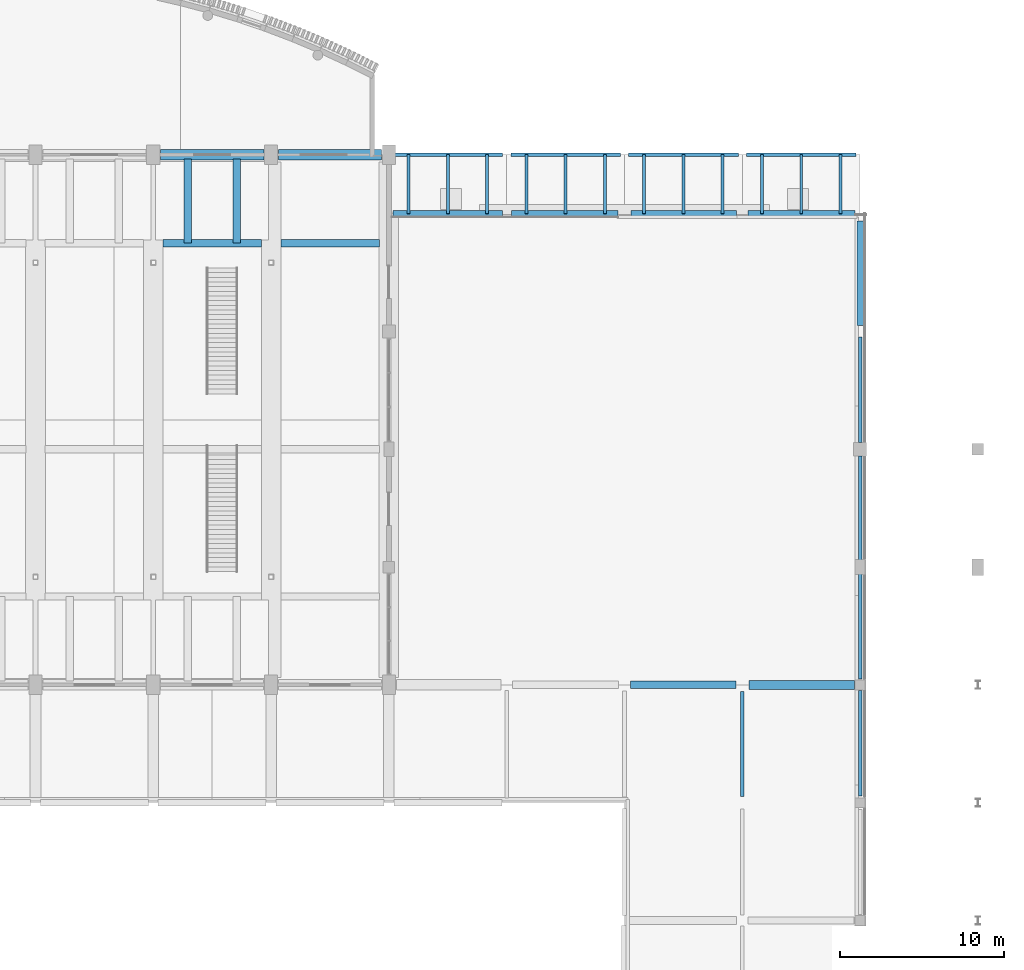
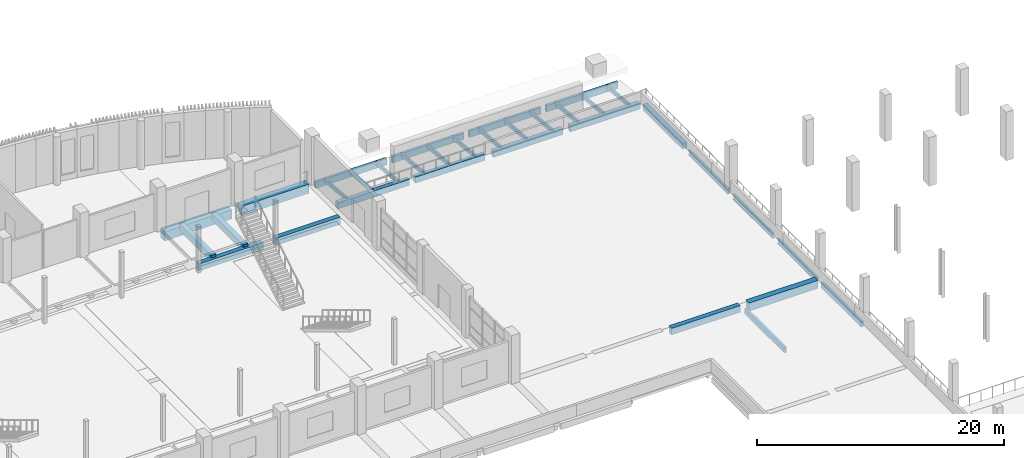
# One storey, part 38 of 82: 22 beams, 12 members.
"""IFC4 building model written with IfcOpenShell, lengths in metres."""

from ifc_helpers import new_model, si_unit, direction, frame, origin, origin_2d, place, context, subcontext, project, spatial, rectangle, i_section, extrude, material, material_profile, profile_set, type_object, element, save


model = new_model("IFC4")

# Units and contexts
model_context = context("Model", 3, precision=1e-05, world=origin(), true_north=direction((0.0, 1.0)))
body_context = subcontext(model_context, "Body", "Model", "MODEL_VIEW")
ifc_project = project(units=[si_unit("LENGTHUNIT", "METRE"), si_unit("AREAUNIT", "SQUARE_METRE"), si_unit("VOLUMEUNIT", "CUBIC_METRE"), si_unit("PLANEANGLEUNIT", "RADIAN"), si_unit("MASSUNIT", "GRAM", prefix="KILO")], contexts=[model_context])

# Site, building, storey
site_placement = place(None, origin())
site = spatial("IfcSite", under=ifc_project, at=site_placement, CompositionType="ELEMENT")
building_placement = place(site_placement, origin())
building = spatial("IfcBuilding", under=site, at=building_placement, Name="Sardonyx Promenade Sports Hall", CompositionType="ELEMENT")
storey_placement = place(building_placement, frame((0.0, 0.0, 11.199951171875)))
storey = spatial("IfcBuildingStorey", under=building, at=storey_placement, Name="L02", CompositionType="ELEMENT", Elevation=11.199951171875)

# Beams
ifc_material_1 = material(Name="Glulam GL28h", Category="wood")
ifc_material_profile_1 = material_profile(ifc_material_1, rectangle(XDim=0.239990234375, YDim=0.639892578125, at=origin_2d()))
ifc_profile_set_1 = profile_set([ifc_material_profile_1], Name="Glulam GL28h")
beam_type_1 = type_object("IfcBeamType", Name="Bm_Canopy_GL640", PredefinedType="BEAM", material=ifc_profile_set_1)
beam_1_placement = place(storey_placement, frame((79.449951171875, 104.39990234375, -0.5), z_axis=(1.0, 0.0, 0.0), x_axis=(0.0, 1.0, 0.0)))
element("IfcBeam", 1, at=beam_1_placement, inside=storey, type_object=beam_type_1, Name="Pishtaq canopy front glulam beam #1", PredefinedType="BEAM", context=body_context, shape_type="SweptSolid", body=[
    extrude(rectangle(XDim=0.239990234375, YDim=0.639892578125, at=origin_2d()), origin(), (0.0, 0.0, 1.0), 6.699951171875),
])
beam_2_placement = place(storey_placement, frame((86.64990234375, 104.39990234375, -0.5), z_axis=(1.0, 0.0, 0.0), x_axis=(0.0, 1.0, 0.0)))
element("IfcBeam", 2, at=beam_2_placement, inside=storey, type_object=beam_type_1, Name="Pishtaq canopy front glulam beam #2", PredefinedType="BEAM", context=body_context, shape_type="SweptSolid", body=[
    extrude(rectangle(XDim=0.239990234375, YDim=0.639892578125, at=origin_2d()), origin(), (0.0, 0.0, 1.0), 6.7001953125),
])
for number, where, z_axis, x_axis, name in (
    (3, (93.85009765625, 104.39990234375, -0.5), (1.0, 0.0, 0.0), (0.0, 1.0, 0.0), "Pishtaq canopy front glulam beam #3"),
    (4, (101.050048828125, 104.39990234375, -0.5), (1.0, 0.0, 0.0), (0.0, 1.0, 0.0), "Pishtaq canopy front glulam beam #4"),
):
    element("IfcBeam", number, at=place(storey_placement, frame(where, z_axis=z_axis, x_axis=x_axis)), inside=storey, type_object=beam_type_1, Name=name, PredefinedType="BEAM", context=body_context, shape_type="SweptSolid", body=[
        extrude(rectangle(XDim=0.239990234375, YDim=0.639892578125, at=origin_2d()), origin(), (0.0, 0.0, 1.0), 6.699951171875),
    ])
ifc_material_2 = material(Name="Glulam GL28h", Category="wood")
ifc_material_profile_2 = material_profile(ifc_material_2, rectangle(XDim=0.219970703125, YDim=0.5400390625, at=origin_2d()))
ifc_profile_set_2 = profile_set([ifc_material_profile_2], Name="Glulam GL28h")
beam_type_2 = type_object("IfcBeamType", Name="Bm_Gallery_GL540", PredefinedType="BEAM", material=ifc_profile_set_2)
beam_3_placement = place(storey_placement, frame((100.800048828125, 65.175048828125, -0.510009765625), z_axis=(0.0, 1.0, 0.0), x_axis=(-1.0, 0.0, 0.0)))
element("IfcBeam", 5, at=beam_3_placement, inside=storey, type_object=beam_type_2, Name="Beam GLB2 L02 #645", PredefinedType="BEAM", context=body_context, shape_type="SweptSolid", body=[
    extrude(rectangle(XDim=0.219970703125, YDim=0.5400390625, at=origin_2d()), origin(), (0.0, 0.0, 1.0), 6.425048828125),
])
beam_4_placement = place(storey_placement, frame((108.0, 65.199951171875, -0.510009765625), z_axis=(0.0, 1.0, 0.0), x_axis=(-1.0, 0.0, 0.0)))
element("IfcBeam", 6, at=beam_4_placement, inside=storey, type_object=beam_type_2, Name="Beam GLB2 L02 #655", PredefinedType="BEAM", context=body_context, shape_type="SweptSolid", body=[
    extrude(rectangle(XDim=0.219970703125, YDim=0.5400390625, at=origin_2d()), origin(), (0.0, 0.0, 1.0), 6.449951171875),
])
ifc_material_3 = material(Name="Concrete C40/50", Category="concrete")
ifc_material_profile_3 = material_profile(ifc_material_3, rectangle(XDim=0.550048828125, YDim=0.800048828125, at=origin_2d()))
ifc_profile_set_3 = profile_set([ifc_material_profile_3], Name="Concrete C40/50")
beam_type_3 = type_object("IfcBeamType", Name="Bm_Girder_RC800", PredefinedType="BEAM", material=ifc_profile_set_3)
beam_5_placement = place(storey_placement, frame((101.199951171875, 72.0, -0.39990234375), z_axis=(1.0, 0.0, 0.0), x_axis=(0.0, 1.0, 0.0)))
element("IfcBeam", 7, at=beam_5_placement, inside=storey, type_object=beam_type_3, Name="Beam BG04 L02 #561", PredefinedType="BEAM", context=body_context, shape_type="SweptSolid", body=[
    extrude(rectangle(XDim=0.550048828125, YDim=0.800048828125, at=origin_2d()), origin(), (0.0, 0.0, 1.0), 6.449951171875),
])
ifc_material_4 = material(Name="Concrete C50/60", Category="concrete")
ifc_material_profile_4 = material_profile(ifc_material_4, rectangle(XDim=0.64990234375, YDim=0.89990234375, at=origin_2d()))
ifc_profile_set_4 = profile_set([ifc_material_profile_4], Name="Concrete C50/60")
beam_type_4 = type_object("IfcBeamType", Name="Bm_Girder_RC900", PredefinedType="BEAM", material=ifc_profile_set_4)
for number, where, z_axis, x_axis, name in (
    (8, (65.2451171875, 104.39990234375, -0.449951171875), (1.0, 0.0, 0.0), (0.0, 1.0, 0.0), "North stand pier girder L02 #45"),
    (9, (72.445068359375, 104.39990234375, -0.449951171875), (1.0, 0.0, 0.0), (0.0, 1.0, 0.0), "North stand pier girder L02 #46"),
):
    element("IfcBeam", number, at=place(storey_placement, frame(where, z_axis=z_axis, x_axis=x_axis)), inside=storey, type_object=beam_type_4, Name=name, PredefinedType="BEAM", context=body_context, shape_type="SweptSolid", body=[
        extrude(rectangle(XDim=0.64990234375, YDim=0.89990234375, at=origin_2d()), origin(), (0.0, 0.0, 1.0), 6.309814453125),
    ])
ifc_material_5 = material(Name="Steel S355JR", Category="steel")
ifc_material_profile_5 = material_profile(ifc_material_5, i_section(OverallWidth=0.199951171875, OverallDepth=0.5, WebThickness=0.01025390625, FlangeThickness=0.01611328125, at=origin_2d()))
ifc_profile_set_5 = profile_set([ifc_material_profile_5], Name="Steel S355JR")
beam_type_5 = type_object("IfcBeamType", Name="Bm_Primary_IPE500", PredefinedType="BEAM", material=ifc_profile_set_5)
beam_6_placement = place(storey_placement, frame((108.0, 72.35009765625, -0.489990234375), z_axis=(0.0, 1.0, 0.0), x_axis=(-1.0, 0.0, 0.0)))
element("IfcBeam", 10, at=beam_6_placement, inside=storey, type_object=beam_type_5, Name="Beam SB06 L02 #656", PredefinedType="BEAM", context=body_context, shape_type="SweptSolid", body=[
    extrude(i_section(OverallWidth=0.199951171875, OverallDepth=0.5, WebThickness=0.01025390625, FlangeThickness=0.01611328125, at=origin_2d()), origin(), (0.0, 0.0, 1.0), 6.474853515625),
])
beam_7_placement = place(storey_placement, frame((108.0, 79.574951171875, -0.489990234375), z_axis=(0.0, 1.0, 0.0), x_axis=(-1.0, 0.0, 0.0)))
element("IfcBeam", 11, at=beam_7_placement, inside=storey, type_object=beam_type_5, Name="Beam SB06 L02 #657", PredefinedType="BEAM", context=body_context, shape_type="SweptSolid", body=[
    extrude(i_section(OverallWidth=0.199951171875, OverallDepth=0.5, WebThickness=0.01025390625, FlangeThickness=0.01611328125, at=origin_2d()), origin(), (0.0, 0.0, 1.0), 6.425048828125),
])
beam_8_placement = place(storey_placement, frame((108.0, 86.800048828125, -0.489990234375), z_axis=(0.0, 1.0, 0.0), x_axis=(-1.0, 0.0, 0.0)))
element("IfcBeam", 12, at=beam_8_placement, inside=storey, type_object=beam_type_5, Name="Beam SB06 L02 #658", PredefinedType="BEAM", context=body_context, shape_type="SweptSolid", body=[
    extrude(i_section(OverallWidth=0.199951171875, OverallDepth=0.5, WebThickness=0.01025390625, FlangeThickness=0.01611328125, at=origin_2d()), origin(), (0.0, 0.0, 1.0), 6.449951171875),
])
ifc_material_6 = material(Name="Concrete C40/50", Category="concrete")
ifc_material_profile_6 = material_profile(ifc_material_6, rectangle(XDim=0.449951171875, YDim=0.64990234375, at=origin_2d()))
ifc_profile_set_6 = profile_set([ifc_material_profile_6], Name="Concrete C40/50")
beam_type_6 = type_object("IfcBeamType", Name="Bm_Primary_RC650", PredefinedType="BEAM", material=ifc_profile_set_6)
beam_9_placement = place(storey_placement, frame((93.97509765625, 72.0, -0.324951171875), z_axis=(1.0, 0.0, 0.0), x_axis=(0.0, 1.0, 0.0)))
element("IfcBeam", 13, at=beam_9_placement, inside=storey, type_object=beam_type_6, Name="Beam BG05 L02 #560", PredefinedType="BEAM", context=body_context, shape_type="SweptSolid", body=[
    extrude(rectangle(XDim=0.449951171875, YDim=0.64990234375, at=origin_2d()), origin(), (0.0, 0.0, 1.0), 6.4248046875),
])
ifc_material_7 = material(Name="Concrete C40/50", Category="concrete")
ifc_material_profile_7 = material_profile(ifc_material_7, rectangle(XDim=0.449951171875, YDim=0.699951171875, at=origin_2d()))
ifc_profile_set_7 = profile_set([ifc_material_profile_7], Name="Concrete C40/50")
beam_type_7 = type_object("IfcBeamType", Name="Bm_Primary_RC700", PredefinedType="BEAM", material=ifc_profile_set_7)
for number, where, z_axis, x_axis, name in (
    (14, (65.389892578125, 99.0, -0.349853515625), (1.0, 0.0, 0.0), (0.0, 1.0, 0.0), "Arena transverse beam #24"),
    (15, (72.590087890625, 99.0, -0.349853515625), (1.0, 0.0, 0.0), (0.0, 1.0, 0.0), "Arena transverse beam #28"),
):
    element("IfcBeam", number, at=place(storey_placement, frame(where, z_axis=z_axis, x_axis=x_axis)), inside=storey, type_object=beam_type_7, Name=name, PredefinedType="BEAM", context=body_context, shape_type="SweptSolid", body=[
        extrude(rectangle(XDim=0.449951171875, YDim=0.699951171875, at=origin_2d()), origin(), (0.0, 0.0, 1.0), 6.02001953125),
    ])
ifc_material_8 = material(Name="Concrete C40/50", Category="concrete")
ifc_material_profile_8 = material_profile(ifc_material_8, rectangle(XDim=0.449951171875, YDim=0.699951171875, at=origin_2d()))
ifc_profile_set_8 = profile_set([ifc_material_profile_8], Name="Concrete C40/50")
beam_type_8 = type_object("IfcBeamType", Name="Bm_Raker_Stand", PredefinedType="BEAM", material=ifc_profile_set_8)
for number, where, z_axis, x_axis, name in (
    (16, (66.89990234375, 99.0, -0.099853515625), (0.0, 0.999992444297, 0.003887331963), (-1.0, 0.0, 0.0), "Stand raker beam lower N #5-1"),
    (17, (69.89990234375, 99.0, -0.099853515625), (0.0, 0.999992444297, 0.003887331963), (-1.0, 0.0, 0.0), "Stand raker beam lower N #5-2"),
):
    element("IfcBeam", number, at=place(storey_placement, frame(where, z_axis=z_axis, x_axis=x_axis)), inside=storey, type_object=beam_type_8, Name=name, PredefinedType="BEAM", context=body_context, shape_type="SweptSolid", body=[
        extrude(rectangle(XDim=0.449951171875, YDim=0.699951171875, at=origin_2d()), origin(), (0.0, 0.0, 1.0), 5.14990234375),
    ])
ifc_material_9 = material(Name="Concrete C40/50", Category="concrete")
ifc_material_profile_9 = material_profile(ifc_material_9, rectangle(XDim=0.39990234375, YDim=0.60009765625, at=origin_2d()))
ifc_profile_set_9 = profile_set([ifc_material_profile_9], Name="Concrete C40/50")
beam_type_9 = type_object("IfcBeamType", Name="Bm_Spandrel_RC600", PredefinedType="SPANDREL", material=ifc_profile_set_9)
beam_10_placement = place(storey_placement, frame((86.699951171875, 100.800048828125, -0.300048828125), z_axis=(1.0, 0.0, 0.0), x_axis=(0.0, 1.0, 0.0)))
element("IfcBeam", 18, at=beam_10_placement, inside=storey, type_object=beam_type_9, Name="Beam SPB1 L02 #565", PredefinedType="SPANDREL", context=body_context, shape_type="SweptSolid", body=[
    extrude(rectangle(XDim=0.39990234375, YDim=0.60009765625, at=origin_2d()), origin(), (0.0, 0.0, 1.0), 6.5),
])
beam_11_placement = place(storey_placement, frame((94.0, 100.800048828125, -0.300048828125), z_axis=(1.0, 0.0, 0.0), x_axis=(0.0, 1.0, 0.0)))
element("IfcBeam", 19, at=beam_11_placement, inside=storey, type_object=beam_type_9, Name="Beam SPB1 L02 #566", PredefinedType="SPANDREL", context=body_context, shape_type="SweptSolid", body=[
    extrude(rectangle(XDim=0.39990234375, YDim=0.60009765625, at=origin_2d()), origin(), (0.0, 0.0, 1.0), 6.449951171875),
])
beam_12_placement = place(storey_placement, frame((101.14990234375, 100.800048828125, -0.300048828125), z_axis=(1.0, 0.0, 0.0), x_axis=(0.0, 1.0, 0.0)))
element("IfcBeam", 20, at=beam_12_placement, inside=storey, type_object=beam_type_9, Name="Beam SPB1 L02 #567", PredefinedType="SPANDREL", context=body_context, shape_type="SweptSolid", body=[
    extrude(rectangle(XDim=0.39990234375, YDim=0.60009765625, at=origin_2d()), origin(), (0.0, 0.0, 1.0), 6.550048828125),
])
beam_13_placement = place(storey_placement, frame((108.0, 93.949951171875, -0.300048828125), z_axis=(0.0, 1.0, 0.0), x_axis=(-1.0, 0.0, 0.0)))
element("IfcBeam", 21, at=beam_13_placement, inside=storey, type_object=beam_type_9, Name="Beam SPB1 L02 #659", PredefinedType="SPANDREL", context=body_context, shape_type="SweptSolid", body=[
    extrude(rectangle(XDim=0.39990234375, YDim=0.60009765625, at=origin_2d()), origin(), (0.0, 0.0, 1.0), 6.400146484375),
])
beam_14_placement = place(storey_placement, frame((79.449951171875, 100.800048828125, -0.300048828125), z_axis=(1.0, 0.0, 0.0), x_axis=(0.0, 1.0, 0.0)))
element("IfcBeam", 22, at=beam_14_placement, inside=storey, type_object=beam_type_9, Name="Pishtaq west bay spandrel beam L02", PredefinedType="SPANDREL", context=body_context, shape_type="SweptSolid", body=[
    extrude(rectangle(XDim=0.39990234375, YDim=0.60009765625, at=origin_2d()), origin(), (0.0, 0.0, 1.0), 6.699951171875),
])

# Members
ifc_material_10 = material(Name="Glulam GL28h", Category="wood")
ifc_material_profile_10 = material_profile(ifc_material_10, rectangle(XDim=0.179931640625, YDim=0.360107421875, at=origin_2d()))
ifc_profile_set_10 = profile_set([ifc_material_profile_10], Name="Glulam GL28h")
member_type = type_object("IfcMemberType", Name="Mbr_Rafter_GL360", PredefinedType="RAFTER", material=ifc_profile_set_10)
for number, where, z_axis, x_axis, name in (
    (23, (80.39990234375, 100.800048828125, -0.035888671875), (0.0, 0.995974740355, -0.089634349302), (-1.0, 0.0, 0.0), "Pishtaq glulam canopy rafter #1"),
    (24, (82.800048828125, 100.800048828125, -0.035888671875), (0.0, 0.995974740355, -0.089634349302), (-1.0, 0.0, 0.0), "Pishtaq glulam canopy rafter #2"),
    (25, (85.199951171875, 100.800048828125, -0.035888671875), (0.0, 0.995974740355, -0.089634349302), (-1.0, 0.0, 0.0), "Pishtaq glulam canopy rafter #3"),
    (26, (87.60009765625, 100.800048828125, -0.035888671875), (0.0, 0.995974740355, -0.089634349302), (-1.0, 0.0, 0.0), "Pishtaq glulam canopy rafter #4"),
    (27, (90.0, 100.800048828125, -0.035888671875), (0.0, 0.995974740355, -0.089634349302), (-1.0, 0.0, 0.0), "Pishtaq glulam canopy rafter #5"),
    (28, (92.39990234375, 100.800048828125, -0.035888671875), (0.0, 0.995974740355, -0.089634349302), (-1.0, 0.0, 0.0), "Pishtaq glulam canopy rafter #6"),
    (29, (94.800048828125, 100.800048828125, -0.035888671875), (0.0, 0.995974740355, -0.089634349302), (-1.0, 0.0, 0.0), "Pishtaq glulam canopy rafter #7"),
    (30, (97.199951171875, 100.800048828125, -0.035888671875), (0.0, 0.995974740355, -0.089634349302), (-1.0, 0.0, 0.0), "Pishtaq glulam canopy rafter #8"),
    (31, (99.60009765625, 100.800048828125, -0.035888671875), (0.0, 0.995974740355, -0.089634349302), (-1.0, 0.0, 0.0), "Pishtaq glulam canopy rafter #9"),
    (32, (102.0, 100.800048828125, -0.035888671875), (0.0, 0.995974740355, -0.089634349302), (-1.0, 0.0, 0.0), "Pishtaq glulam canopy rafter #10"),
    (33, (104.39990234375, 100.800048828125, -0.035888671875), (0.0, 0.995974740355, -0.089634349302), (-1.0, 0.0, 0.0), "Pishtaq glulam canopy rafter #11"),
    (34, (106.800048828125, 100.800048828125, -0.035888671875), (0.0, 0.995974740355, -0.089634349302), (-1.0, 0.0, 0.0), "Pishtaq glulam canopy rafter #12"),
):
    element("IfcMember", number, at=place(storey_placement, frame(where, z_axis=z_axis, x_axis=x_axis)), inside=storey, type_object=member_type, Name=name, PredefinedType="RAFTER", context=body_context, shape_type="SweptSolid", body=[
        extrude(rectangle(XDim=0.179931640625, YDim=0.360107421875, at=origin_2d()), origin(), (0.0, 0.0, 1.0), 3.614501953125),
    ])

save(model, "model.ifc")
